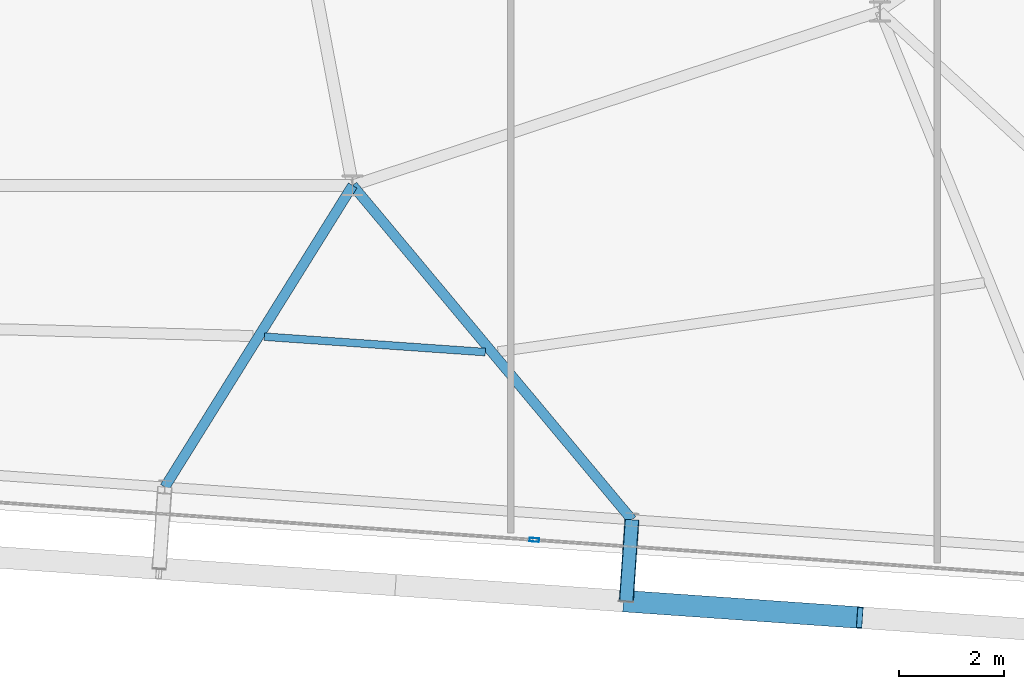
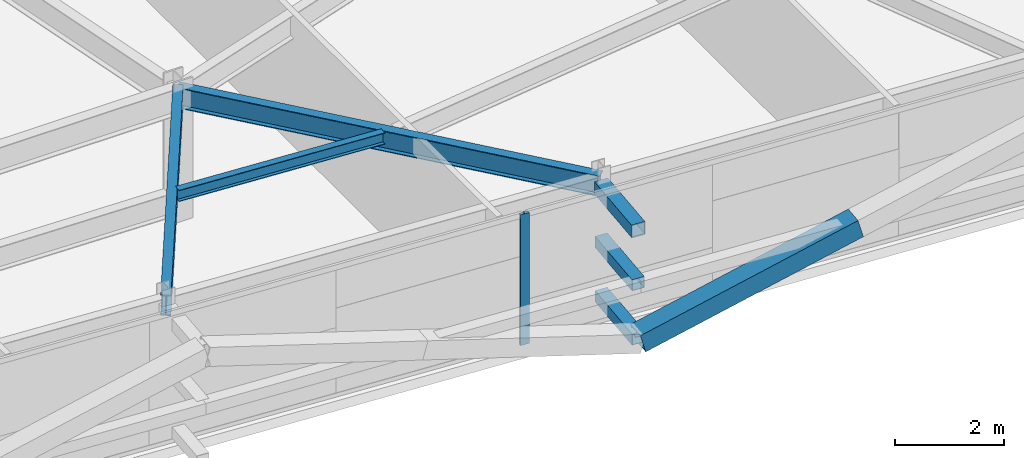
# One storey, part 13 of 39: 5 members, 3 beams, 1 element without a shape of its own.
"""IFC4 building model written with IfcOpenShell, lengths in metres."""

from ifc_helpers import new_model, si_unit, direction, frame, origin, origin_2d, place, context, subcontext, project, spatial, hollow_rectangle, i_section, extrude, source, transform, mapped, material, layer, layer_set, material_profile, profile_set, type_object, element, aggregate, save


model = new_model("IFC4")

# Units and contexts
model_context = context("Model", 3, precision=1e-05, world=origin(), true_north=direction((0.0, 1.0)))
body_context = subcontext(model_context, "Body", "Model", "MODEL_VIEW")
ifc_project = project(units=[si_unit("LENGTHUNIT", "METRE"), si_unit("AREAUNIT", "SQUARE_METRE"), si_unit("VOLUMEUNIT", "CUBIC_METRE"), si_unit("PLANEANGLEUNIT", "RADIAN"), si_unit("MASSUNIT", "GRAM", prefix="KILO")], contexts=[model_context])

# Site, building, storey
site_placement = place(None, origin())
site = spatial("IfcSite", under=ifc_project, at=site_placement, CompositionType="ELEMENT")
building_placement = place(site_placement, origin())
building = spatial("IfcBuilding", under=site, at=building_placement, Name="Taldren Reach Tower", CompositionType="ELEMENT")
storey_placement = place(building_placement, frame((0.0, 0.0, 145.60009765625)))
storey = spatial("IfcBuildingStorey", under=building, at=storey_placement, Name="L44", CompositionType="ELEMENT", Elevation=145.60009765625)

# Members
ifc_material_1 = material(Name="Steel Gr 450 (C450L0)", Category="steel")
ifc_material_profile_1 = material_profile(ifc_material_1, hollow_rectangle(XDim=0.27490234375, YDim=0.27490234375, WallThickness=0.00927734375, at=origin_2d()), Name="275x275x9.3SHS")
ifc_profile_set_1 = profile_set([ifc_material_profile_1], Name="Steel Gr 450 (C450L0)")
member_type_1 = type_object("IfcMemberType", Name="MB-TIE273", PredefinedType="STRUT", material=ifc_profile_set_1)
shared_shape_1 = source(origin(), body_context, "Body", "SweptSolid", [
    extrude(hollow_rectangle(XDim=0.27490234375, YDim=0.27490234375, WallThickness=0.00927734375, at=origin_2d()), origin(), (0.0, 0.0, 1.0), 1.5498046875),
])
member_1_placement = place(storey_placement, frame((47.297119140625, 2.860595703125, 2.64990234375), z_axis=(-0.069780535098, -0.997562367434, 0.0), x_axis=(0.997562367434, -0.069780535098, 0.0)))
element("IfcMember", 1, at=member_1_placement, inside=storey, type_object=member_type_1, Name="Exoskeleton diaphragm tie strut B3-S5 L44", PredefinedType="STRUT", context=body_context, shape_type="MappedRepresentation", body=[
    mapped(shared_shape_1, transform((0.0, 0.0, 0.0), scale=1.0)),
])
ifc_material_2 = material(Name="Steel Gr 350 (C350L0)", Category="steel")
ifc_material_profile_2 = material_profile(ifc_material_2, hollow_rectangle(XDim=0.25, YDim=0.25, WallThickness=0.010009765625, at=origin_2d()), Name="250x250x10.0SHS")
ifc_profile_set_2 = profile_set([ifc_material_profile_2], Name="Steel Gr 350 (C350L0)")
member_type_2 = type_object("IfcMemberType", Name="MB-POST250", PredefinedType="POST", material=ifc_profile_set_2)
shared_shape_2 = source(origin(), body_context, "Body", "SweptSolid", [
    extrude(hollow_rectangle(XDim=0.25, YDim=0.25, WallThickness=0.010009765625, at=origin_2d()), origin(), (0.0, 0.0, 1.0), 1.5498046875),
])
for number, where, z_axis, x_axis, name in (
    (2, (47.297119140625, 2.860595703125, 0.219970703125), (-0.069780535098, -0.997562367434, 0.0), (0.997562367434, -0.069780535098, 0.0), "Exoskeleton base diaphragm tie strut B3-S5 L44"),
    (3, (47.297119140625, 2.860595703125, 1.434814453125), (-0.069780535098, -0.997562367434, 0.0), (0.997562367434, -0.069780535098, 0.0), "Exoskeleton mid-tier diaphragm tie B3-S5 L44"),
):
    element("IfcMember", number, at=place(storey_placement, frame(where, z_axis=z_axis, x_axis=x_axis)), inside=storey, type_object=member_type_2, Name=name, PredefinedType="POST", context=body_context, shape_type="MappedRepresentation", body=[
        mapped(shared_shape_2, transform((0.0, 0.0, 0.0), scale=1.0)),
    ])

# Beams
ifc_material_3 = material(Name="Steel Gr 350 (350PLUS)", Category="steel")
ifc_material_profile_3 = material_profile(ifc_material_3, i_section(OverallWidth=0.19091796875, OverallDepth=0.4599609375, WebThickness=0.010009765625, FlangeThickness=0.01611328125, at=origin_2d()), Name="460UB82.1")
ifc_profile_set_3 = profile_set([ifc_material_profile_3], Name="Steel Gr 350 (350PLUS)")
beam_type_1 = type_object("IfcBeamType", Name="BM-UB460A", PredefinedType="BEAM", material=ifc_profile_set_3)
shared_shape_3 = source(origin(), body_context, "Body", "SweptSolid", [
    extrude(i_section(OverallWidth=0.19091796875, OverallDepth=0.4599609375, WebThickness=0.010009765625, FlangeThickness=0.01611328125, at=origin_2d()), origin(), (0.0, 0.0, 1.0), 6.73779296875),
])
beam_1_placement = place(storey_placement, frame((42.0, 9.199951171875, 2.699951171875), z_axis=(-0.528552048024, -0.848900896765, 0.0), x_axis=(0.848900896765, -0.528552048024, 0.0)))
element("IfcBeam", 4, at=beam_1_placement, inside=storey, type_object=beam_type_1, Name="Primary floor girder B3-S4 L44", PredefinedType="BEAM", context=body_context, shape_type="MappedRepresentation", body=[
    mapped(shared_shape_3, transform((0.0, 0.0, 0.0), scale=1.0)),
])
shared_shape_4 = source(origin(), body_context, "Body", "SweptSolid", [
    extrude(i_section(OverallWidth=0.19091796875, OverallDepth=0.4599609375, WebThickness=0.010009765625, FlangeThickness=0.01611328125, at=origin_2d()), origin(), (0.0, 0.0, 1.0), 8.26123046875),
])
beam_2_placement = place(storey_placement, frame((42.0, 9.199951171875, 2.699951171875), z_axis=(0.64120703686, -0.767367927322, 0.0), x_axis=(0.767367927322, 0.64120703686, 0.0)))
element("IfcBeam", 5, at=beam_2_placement, inside=storey, type_object=beam_type_1, Name="Primary floor girder B3-S5 L44", PredefinedType="BEAM", context=body_context, shape_type="MappedRepresentation", body=[
    mapped(shared_shape_4, transform((0.0, 0.0, 0.0), scale=1.0)),
])
ifc_material_4 = material(Name="Steel Gr 300 (300PLUS, 300 MPa)", Category="steel")
ifc_material_profile_4 = material_profile(ifc_material_4, i_section(OverallWidth=0.14599609375, OverallDepth=0.256103515625, WebThickness=0.00634765625, FlangeThickness=0.010986328125, at=origin_2d()), Name="250UB37.3")
ifc_profile_set_4 = profile_set([ifc_material_profile_4], Name="Steel Gr 300 (300PLUS, 300 MPa)")
beam_type_2 = type_object("IfcBeamType", Name="JS-UB250", PredefinedType="JOIST", material=ifc_profile_set_4)
shared_shape_5 = source(origin(), body_context, "Body", "SweptSolid", [
    extrude(i_section(OverallWidth=0.14599609375, OverallDepth=0.256103515625, WebThickness=0.00634765625, FlangeThickness=0.010986328125, at=origin_2d()), origin(), (0.0, 0.0, 1.0), 4.199462890625),
])
beam_3_placement = place(storey_placement, frame((40.3271484375, 6.33251953125, 2.802001953125), z_axis=(0.99756354117, -0.069763753681, 0.0), x_axis=(0.069763753681, 0.99756354117, 0.0)))
element("IfcBeam", 6, at=beam_3_placement, inside=storey, type_object=beam_type_2, Name="Secondary floor joist B3 J4 L44", PredefinedType="JOIST", context=body_context, shape_type="MappedRepresentation", body=[
    mapped(shared_shape_5, transform((0.0, 0.0, 0.0), scale=1.0)),
])

# Member
ifc_material_profile_5 = material_profile(ifc_material_1, hollow_rectangle(XDim=0.409912109375, YDim=0.409912109375, WallThickness=0.01611328125, at=origin_2d()), Name="410x410x16.0SHS")
ifc_profile_set_5 = profile_set([ifc_material_profile_5], Name="Steel Gr 450 (C450L0)")
member_type_3 = type_object("IfcMemberType", Name="MB-EXO406", PredefinedType="BRACE", material=ifc_profile_set_5)
shared_shape_6 = source(origin(), body_context, "Body", "SweptSolid", [
    extrude(hollow_rectangle(XDim=0.409912109375, YDim=0.409912109375, WallThickness=0.01611328125, at=origin_2d()), origin(), (0.0, 0.0, 1.0), 4.603271484375),
])
member_2_placement = place(storey_placement, frame((47.18896484375, 1.314453125, 0.219970703125), z_axis=(0.962195820062, -0.067303852699, 0.263911718699), x_axis=(0.06977769246, 0.997562566276, 0.0)))
element("IfcMember", 7, at=member_2_placement, inside=storey, type_object=member_type_3, Name="Exoskeleton Diagrid Brace B3-S5 L44", PredefinedType="BRACE", context=body_context, shape_type="MappedRepresentation", body=[
    mapped(shared_shape_6, transform((0.0, 0.0, 0.0), scale=1.0)),
])

# Curtain wall, member
ifc_material_5 = material(Name="Aluminium and Low-E Glass Unitised System", Category="aluminium")
ifc_layer = layer(ifc_material_5, 0.159912109375)
ifc_layer_set = layer_set([ifc_layer], Name="Aluminium and Low-E Glass Unitised System")
curtain_wall_type = type_object("IfcCurtainWallType", Name="CW-SYS-4", PredefinedType="NOTDEFINED", material=ifc_layer_set)
curtain_wall_placement = place(storey_placement, origin())
curtain_wall = element("IfcCurtainWall", 8, at=curtain_wall_placement, inside=storey, type_object=curtain_wall_type, Name="Unitised curtain wall CW-L44-S", PredefinedType="NOTDEFINED")
ifc_material_6 = material(Name="Anodised Aluminium 6063-T6", Category="aluminium")
ifc_material_profile_6 = material_profile(ifc_material_6, hollow_rectangle(XDim=0.070068359375, YDim=0.179931640625, WallThickness=0.00390625, at=origin_2d()), Name="ALU-180x70x4RHS")
ifc_profile_set_6 = profile_set([ifc_material_profile_6], Name="Anodised Aluminium 6063-T6")
member_type_4 = type_object("IfcMemberType", Name="CW-MUL-180", PredefinedType="MULLION", material=ifc_profile_set_6)
shared_shape_7 = source(origin(), body_context, "Body", "SweptSolid", [
    extrude(hollow_rectangle(XDim=0.070068359375, YDim=0.179931640625, WallThickness=0.00390625, at=origin_2d()), origin(), (0.0, 0.0, 1.0), 2.929931640625),
])
member_3_placement = place(storey_placement, frame((45.44580078125, 2.478759765625, 0.0), z_axis=(0.0, 0.0, 1.0), x_axis=(0.06975651593, 0.99756404731, 0.0)))
member_3 = element("IfcMember", 9, at=member_3_placement, type_object=member_type_4, Name="CW-4 mullion 4", PredefinedType="MULLION", context=body_context, shape_type="MappedRepresentation", body=[
    mapped(shared_shape_7, transform((0.0, 0.0, 0.0), scale=1.0)),
])
aggregate(curtain_wall, [member_3])

save(model, "model.ifc")
